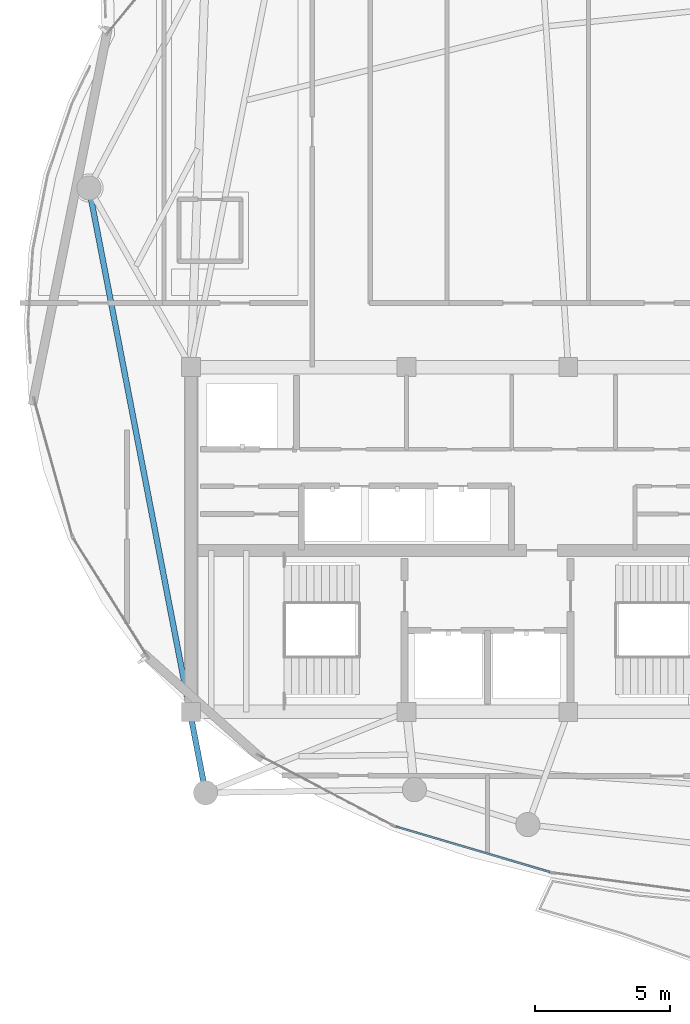
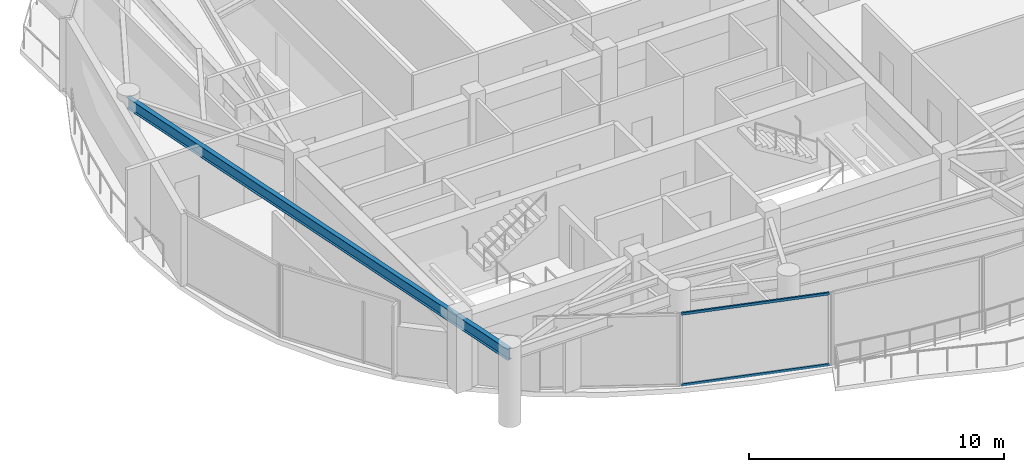
# One storey, part 4 of 29: 2 members, 1 beam, 1 element without a shape of its own.
"""IFC4 building model written with IfcOpenShell, lengths in metres."""

from ifc_helpers import new_model, si_unit, direction, frame, origin, origin_2d, place, context, subcontext, project, spatial, hollow_rectangle, i_section, extrude, material, layer, layer_set, material_profile, profile_set, type_object, element, aggregate, save


model = new_model("IFC4")

# Units and contexts
model_context = context("Model", 3, precision=1e-05, world=origin(), true_north=direction((0.0, 1.0)))
body_context = subcontext(model_context, "Body", "Model", "MODEL_VIEW")
ifc_project = project(units=[si_unit("LENGTHUNIT", "METRE"), si_unit("AREAUNIT", "SQUARE_METRE"), si_unit("VOLUMEUNIT", "CUBIC_METRE"), si_unit("PLANEANGLEUNIT", "RADIAN"), si_unit("MASSUNIT", "GRAM", prefix="KILO")], contexts=[model_context])

# Site, building, storey
site_placement = place(None, origin())
site = spatial("IfcSite", under=ifc_project, at=site_placement, CompositionType="ELEMENT")
building_placement = place(site_placement, origin())
building = spatial("IfcBuilding", under=site, at=building_placement, Name="Kazevale Care Tower and Concert Hall", CompositionType="ELEMENT")
storey_placement = place(building_placement, frame((0.0, 0.0, 289.0)))
storey = spatial("IfcBuildingStorey", under=building, at=storey_placement, Name="L76", CompositionType="ELEMENT", Elevation=289.0)

# Curtain wall, members
ifc_material_1 = material(Name="Aluminium 6063-T6 and Low-E Glass", Category="aluminium")
ifc_layer = layer(ifc_material_1, 0.179931640625)
ifc_layer_set = layer_set([ifc_layer], Name="Aluminium 6063-T6 and Low-E Glass")
curtain_wall_type = type_object("IfcCurtainWallType", Name="Sheltered Concave Balcony Curtain Wall CW-5", PredefinedType="NOTDEFINED", material=ifc_layer_set)
curtain_wall_placement = place(storey_placement, origin())
curtain_wall = element("IfcCurtainWall", 1, at=curtain_wall_placement, inside=storey, type_object=curtain_wall_type, Name="cw:L76:f08", PredefinedType="NOTDEFINED")
ifc_material_2 = material(Name="Aluminium 6063-T6", Category="aluminium")
ifc_material_profile_1 = material_profile(ifc_material_2, hollow_rectangle(XDim=0.074951171875, YDim=0.1201171875, WallThickness=0.00390625, at=origin_2d()), Name="ALU75x120x4")
ifc_profile_set_1 = profile_set([ifc_material_profile_1], Name="Aluminium 6063-T6")
member_type = type_object("IfcMemberType", Name="CW-5 Transom ALU75x120x4", PredefinedType="USERDEFINED", material=ifc_profile_set_1)
member_1_placement = place(storey_placement, frame((35.321044921875, 17.6552734375, 0.03759765625), z_axis=(-0.959060435573, 0.283201484669, 0.0), x_axis=(-0.283201484669, -0.959060435573, 0.0)))
member_1 = element("IfcMember", 2, at=member_1_placement, type_object=member_type, Name="CW-5 transom 1.1", ObjectType="TRANSOM", PredefinedType="USERDEFINED", context=body_context, shape_type="SweptSolid", body=[
    extrude(hollow_rectangle(XDim=0.074951171875, YDim=0.1201171875, WallThickness=0.00390625, at=origin_2d()), origin(), (0.0, 0.0, 1.0), 5.962158203125),
])
member_2_placement = place(storey_placement, frame((35.321044921875, 17.6552734375, 3.4423828125), z_axis=(-0.959060435573, 0.283201484669, 0.0), x_axis=(-0.283201484669, -0.959060435573, 0.0)))
member_2 = element("IfcMember", 3, at=member_2_placement, type_object=member_type, Name="CW-5 transom 1.2", ObjectType="TRANSOM", PredefinedType="USERDEFINED", context=body_context, shape_type="SweptSolid", body=[
    extrude(hollow_rectangle(XDim=0.074951171875, YDim=0.1201171875, WallThickness=0.00390625, at=origin_2d()), origin(), (0.0, 0.0, 1.0), 5.962158203125),
])
aggregate(curtain_wall, [member_1, member_2])

# Beam
ifc_material_3 = material(Name="Steel ASTM A572 Gr 50", Category="steel")
ifc_material_profile_2 = material_profile(ifc_material_3, i_section(OverallWidth=0.208984375, OverallDepth=0.532958984375, WebThickness=0.01025390625, FlangeThickness=0.015625, at=origin_2d()), Name="W530x92")
ifc_profile_set_2 = profile_set([ifc_material_profile_2], Name="Steel ASTM A572 Gr 50")
beam_type = type_object("IfcBeamType", Name="Upper Ring Beam W530x92", PredefinedType="BEAM", material=ifc_profile_set_2)
beam_placement = place(storey_placement, frame((18.2099609375, 43.050048828125, 3.21337890625), z_axis=(0.189386387255, -0.981902640959, 0.0), x_axis=(0.981902640959, 0.189386387255, 0.0)))
element("IfcBeam", 4, at=beam_placement, inside=storey, type_object=beam_type, Name="beam:L76:ring:09", PredefinedType="BEAM", context=body_context, shape_type="SweptSolid", body=[
    extrude(i_section(OverallWidth=0.208984375, OverallDepth=0.532958984375, WebThickness=0.01025390625, FlangeThickness=0.015625, at=origin_2d()), origin(), (0.0, 0.0, 1.0), 22.86376953125),
])

save(model, "model.ifc")
